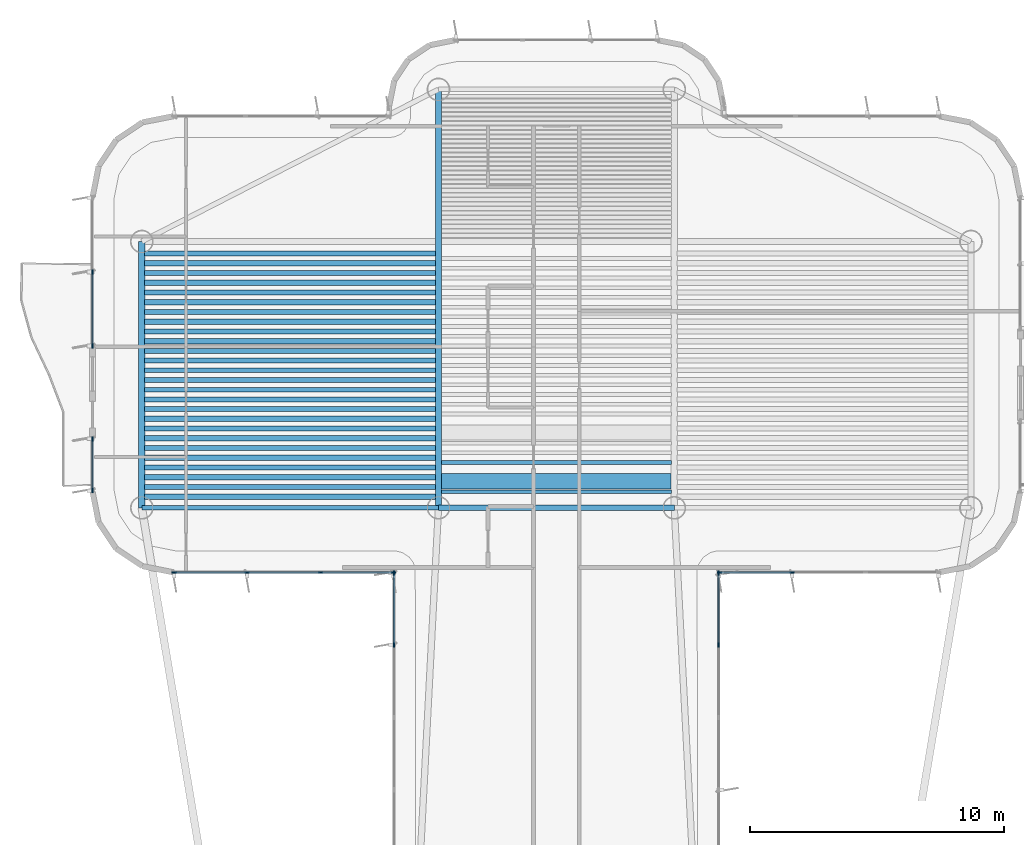
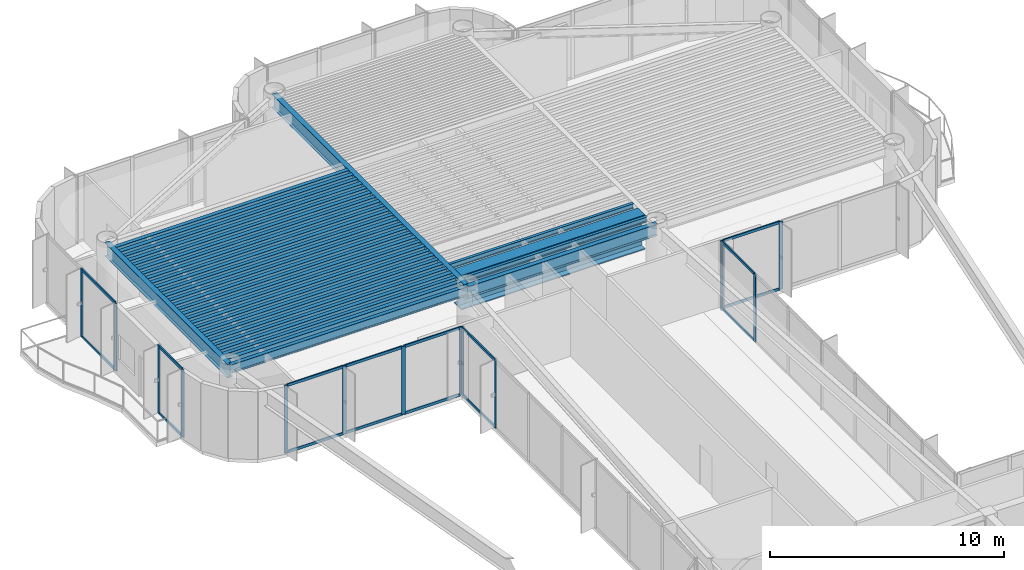
# One storey, part 5 of 15: 33 beams, 30 members, 6 elements without a shape of their own.
"""IFC4 building model written with IfcOpenShell, lengths in metres."""

from ifc_helpers import new_model, si_unit, direction, frame, origin, origin_2d, place, context, subcontext, project, spatial, rectangle, i_section, extrude, source, transform, mapped, material, layer, layer_set, material_profile, profile_set, type_object, element, aggregate, save


model = new_model("IFC4")

# Units and contexts
model_context = context("Model", 3, precision=1e-05, world=origin(), true_north=direction((0.0, 1.0)))
body_context = subcontext(model_context, "Body", "Model", "MODEL_VIEW")
ifc_project = project(units=[si_unit("LENGTHUNIT", "METRE"), si_unit("AREAUNIT", "SQUARE_METRE"), si_unit("VOLUMEUNIT", "CUBIC_METRE"), si_unit("PLANEANGLEUNIT", "RADIAN"), si_unit("MASSUNIT", "GRAM", prefix="KILO")], contexts=[model_context])

# Site, building, storey
site_placement = place(None, origin())
site = spatial("IfcSite", under=ifc_project, at=site_placement, CompositionType="ELEMENT")
building_placement = place(site_placement, origin())
building = spatial("IfcBuilding", under=site, at=building_placement, Name="Brelvock Crest Care Tower", CompositionType="ELEMENT")
storey_placement = place(building_placement, frame((0.0, 0.0, 283.5)))
storey = spatial("IfcBuildingStorey", under=building, at=storey_placement, Name="L72", CompositionType="ELEMENT", Elevation=283.5)

# Beams
ifc_material_1 = material(Name="Steel Grade 350", Category="steel")
ifc_material_profile_1 = material_profile(ifc_material_1, i_section(OverallWidth=0.25, OverallDepth=0.699951171875, WebThickness=0.011962890625, FlangeThickness=0.02001953125, at=origin_2d()), Name="700WB150")
ifc_profile_set_1 = profile_set([ifc_material_profile_1], Name="Steel Grade 350")
beam_type_1 = type_object("IfcBeamType", Name="BM-G4", PredefinedType="BEAM", material=ifc_profile_set_1)
shared_shape_1 = source(origin(), body_context, "Body", "SweptSolid", [
    extrude(i_section(OverallWidth=0.25, OverallDepth=0.699951171875, WebThickness=0.011962890625, FlangeThickness=0.02001953125, at=origin_2d()), origin(), (0.0, 0.0, 1.0), 10.5),
])
beam_1_placement = place(storey_placement, frame((19.64990234375, 43.949951171875, 3.179931640625), z_axis=(0.0, 1.0, 0.0), x_axis=(-1.0, 0.0, 0.0)))
element("IfcBeam", 1, at=beam_1_placement, inside=storey, type_object=beam_type_1, Name="BM-TWR-L72-01", PredefinedType="BEAM", context=body_context, shape_type="MappedRepresentation", body=[
    mapped(shared_shape_1, transform((0.0, 0.0, 0.0), x_axis=(1.0, 0.0, 0.0), y_axis=(0.0, 1.0, 0.0), z_axis=(0.0, 0.0, 1.0), scale=1.0)),
])
ifc_material_profile_2 = material_profile(ifc_material_1, i_section(OverallWidth=0.22900390625, OverallDepth=0.612060546875, WebThickness=0.011962890625, FlangeThickness=0.01953125, FilletRadius=0.013916015625, at=origin_2d()), Name="610UB125")
ifc_profile_set_2 = profile_set([ifc_material_profile_2], Name="Steel Grade 350")
beam_type_2 = type_object("IfcBeamType", Name="BM-G1", PredefinedType="BEAM", material=ifc_profile_set_2)
shared_shape_2 = source(origin(), body_context, "Body", "SweptSolid", [
    extrude(i_section(OverallWidth=0.22900390625, OverallDepth=0.612060546875, WebThickness=0.011962890625, FlangeThickness=0.01953125, FilletRadius=0.013916015625, at=origin_2d()), origin(), (0.0, 0.0, 1.0), 9.2998046875),
])
beam_2_placement = place(storey_placement, frame((31.35009765625, 43.949951171875, 3.22412109375), z_axis=(1.0, 0.0, 0.0), x_axis=(0.0, 1.0, 0.0)))
element("IfcBeam", 2, at=beam_2_placement, inside=storey, type_object=beam_type_2, Name="BM-TWR-L72-05", PredefinedType="BEAM", context=body_context, shape_type="MappedRepresentation", body=[
    mapped(shared_shape_2, transform((0.0, 0.0, 0.0), x_axis=(1.0, 0.0, 0.0), y_axis=(0.0, 1.0, 0.0), z_axis=(0.0, 0.0, 1.0), scale=1.0)),
])
ifc_material_profile_3 = material_profile(ifc_material_1, i_section(OverallWidth=0.14599609375, OverallDepth=0.256103515625, WebThickness=0.00634765625, FlangeThickness=0.010986328125, FilletRadius=0.0087890625, at=origin_2d()), Name="250UB37.3")
ifc_profile_set_3 = profile_set([ifc_material_profile_3], Name="Steel Grade 350")
beam_type_3 = type_object("IfcBeamType", Name="BM-J3", PredefinedType="JOIST", material=ifc_profile_set_3)
shared_shape_3 = source(origin(), body_context, "Body", "SweptSolid", [
    extrude(i_section(OverallWidth=0.14599609375, OverallDepth=0.256103515625, WebThickness=0.00634765625, FlangeThickness=0.010986328125, FilletRadius=0.0087890625, at=origin_2d()), origin(), (0.0, 0.0, 1.0), 9.06982421875),
])
for number, where, z_axis, x_axis, name in (
    (3, (31.465087890625, 44.58251953125, 3.402099609375), (1.0, 0.0, 0.0), (0.0, 1.0, 0.0), "BM-JH-L72-1"),
    (4, (31.465087890625, 45.732421875, 3.402099609375), (1.0, 0.0, 0.0), (0.0, 1.0, 0.0), "BM-JH-L72-4"),
):
    element("IfcBeam", number, at=place(storey_placement, frame(where, z_axis=z_axis, x_axis=x_axis)), inside=storey, type_object=beam_type_3, Name=name, PredefinedType="JOIST", context=body_context, shape_type="MappedRepresentation", body=[
        mapped(shared_shape_3, transform((0.0, 0.0, 0.0), x_axis=(1.0, 0.0, 0.0), y_axis=(0.0, 1.0, 0.0), z_axis=(0.0, 0.0, 1.0), scale=1.0)),
    ])
ifc_material_profile_4 = material_profile(ifc_material_1, i_section(OverallWidth=0.19091796875, OverallDepth=0.4599609375, WebThickness=0.010009765625, FlangeThickness=0.01611328125, FilletRadius=0.011474609375, at=origin_2d()), Name="460UB82.1")
ifc_profile_set_4 = profile_set([ifc_material_profile_4], Name="Steel Grade 350")
beam_type_4 = type_object("IfcBeamType", Name="BM-G3", PredefinedType="BEAM", material=ifc_profile_set_4)
shared_shape_4 = source(origin(), body_context, "Body", "SweptSolid", [
    extrude(i_section(OverallWidth=0.19091796875, OverallDepth=0.4599609375, WebThickness=0.010009765625, FlangeThickness=0.01611328125, FilletRadius=0.011474609375, at=origin_2d()), origin(), (0.0, 0.0, 1.0), 11.47021484375),
])
for number, where, z_axis, x_axis, name in (
    (5, (19.764892578125, 44.7744140625, 3.300048828125), (1.0, 0.0, 0.0), (0.0, 1.0, 0.0), "BM-JW-L72-2"),
    (6, (19.764892578125, 45.540771484375, 3.300048828125), (1.0, 0.0, 0.0), (0.0, 1.0, 0.0), "BM-JW-L72-4"),
    (7, (19.764892578125, 46.307373046875, 3.300048828125), (1.0, 0.0, 0.0), (0.0, 1.0, 0.0), "BM-JW-L72-6"),
    (8, (19.764892578125, 47.07373046875, 3.300048828125), (1.0, 0.0, 0.0), (0.0, 1.0, 0.0), "BM-JW-L72-8"),
    (9, (19.764892578125, 47.84033203125, 3.300048828125), (1.0, 0.0, 0.0), (0.0, 1.0, 0.0), "BM-JW-L72-10"),
    (10, (19.764892578125, 48.606689453125, 3.300048828125), (1.0, 0.0, 0.0), (0.0, 1.0, 0.0), "BM-JW-L72-12"),
    (11, (19.764892578125, 49.373291015625, 3.300048828125), (1.0, 0.0, 0.0), (0.0, 1.0, 0.0), "BM-JW-L72-14"),
    (12, (19.764892578125, 50.139892578125, 3.300048828125), (1.0, 0.0, 0.0), (0.0, 1.0, 0.0), "BM-JW-L72-16"),
    (13, (19.764892578125, 50.90625, 3.300048828125), (1.0, 0.0, 0.0), (0.0, 1.0, 0.0), "BM-JW-L72-18"),
    (14, (19.764892578125, 51.6728515625, 3.300048828125), (1.0, 0.0, 0.0), (0.0, 1.0, 0.0), "BM-JW-L72-20"),
    (15, (19.764892578125, 52.439208984375, 3.300048828125), (1.0, 0.0, 0.0), (0.0, 1.0, 0.0), "BM-JW-L72-22"),
    (16, (19.764892578125, 53.205810546875, 3.300048828125), (1.0, 0.0, 0.0), (0.0, 1.0, 0.0), "BM-JW-L72-24"),
    (17, (19.764892578125, 53.972412109375, 3.300048828125), (1.0, 0.0, 0.0), (0.0, 1.0, 0.0), "BM-JW-L72-26"),
):
    element("IfcBeam", number, at=place(storey_placement, frame(where, z_axis=z_axis, x_axis=x_axis)), inside=storey, type_object=beam_type_4, Name=name, PredefinedType="BEAM", context=body_context, shape_type="MappedRepresentation", body=[
        mapped(shared_shape_4, transform((0.0, 0.0, 0.0), x_axis=(1.0, 0.0, 0.0), y_axis=(0.0, 1.0, 0.0), z_axis=(0.0, 0.0, 1.0), scale=1.0)),
    ])
ifc_material_profile_5 = material_profile(ifc_material_1, i_section(OverallWidth=0.208984375, OverallDepth=0.532958984375, WebThickness=0.01025390625, FlangeThickness=0.015625, FilletRadius=0.013916015625, at=origin_2d()), Name="530UB92.4")
ifc_profile_set_5 = profile_set([ifc_material_profile_5], Name="Steel Grade 350")
beam_type_5 = type_object("IfcBeamType", Name="BM-G2", PredefinedType="BEAM", material=ifc_profile_set_5)
shared_shape_5 = source(origin(), body_context, "Body", "SweptSolid", [
    extrude(i_section(OverallWidth=0.208984375, OverallDepth=0.532958984375, WebThickness=0.01025390625, FlangeThickness=0.015625, FilletRadius=0.013916015625, at=origin_2d()), origin(), (0.0, 0.0, 1.0), 11.47021484375),
])
for number, where, z_axis, x_axis, name in (
    (18, (19.764892578125, 44.39111328125, 3.263427734375), (1.0, 0.0, 0.0), (0.0, 1.0, 0.0), "BM-JW-L72-1"),
    (19, (19.764892578125, 45.157470703125, 3.263427734375), (1.0, 0.0, 0.0), (0.0, 1.0, 0.0), "BM-JW-L72-3"),
    (20, (19.764892578125, 45.924072265625, 3.263427734375), (1.0, 0.0, 0.0), (0.0, 1.0, 0.0), "BM-JW-L72-5"),
    (21, (19.764892578125, 46.6904296875, 3.263427734375), (1.0, 0.0, 0.0), (0.0, 1.0, 0.0), "BM-JW-L72-7"),
    (22, (19.764892578125, 47.45703125, 3.263427734375), (1.0, 0.0, 0.0), (0.0, 1.0, 0.0), "BM-JW-L72-9"),
    (23, (19.764892578125, 48.223388671875, 3.263427734375), (1.0, 0.0, 0.0), (0.0, 1.0, 0.0), "BM-JW-L72-11"),
    (24, (19.764892578125, 48.989990234375, 3.263427734375), (1.0, 0.0, 0.0), (0.0, 1.0, 0.0), "BM-JW-L72-13"),
    (25, (19.764892578125, 49.756591796875, 3.263427734375), (1.0, 0.0, 0.0), (0.0, 1.0, 0.0), "BM-JW-L72-15"),
    (26, (19.764892578125, 50.52294921875, 3.263427734375), (1.0, 0.0, 0.0), (0.0, 1.0, 0.0), "BM-JW-L72-17"),
    (27, (19.764892578125, 51.28955078125, 3.263427734375), (1.0, 0.0, 0.0), (0.0, 1.0, 0.0), "BM-JW-L72-19"),
    (28, (19.764892578125, 52.055908203125, 3.263427734375), (1.0, 0.0, 0.0), (0.0, 1.0, 0.0), "BM-JW-L72-21"),
    (29, (19.764892578125, 52.822509765625, 3.263427734375), (1.0, 0.0, 0.0), (0.0, 1.0, 0.0), "BM-JW-L72-23"),
    (30, (19.764892578125, 53.589111328125, 3.263427734375), (1.0, 0.0, 0.0), (0.0, 1.0, 0.0), "BM-JW-L72-25"),
):
    element("IfcBeam", number, at=place(storey_placement, frame(where, z_axis=z_axis, x_axis=x_axis)), inside=storey, type_object=beam_type_5, Name=name, PredefinedType="BEAM", context=body_context, shape_type="MappedRepresentation", body=[
        mapped(shared_shape_5, transform((0.0, 0.0, 0.0), x_axis=(1.0, 0.0, 0.0), y_axis=(0.0, 1.0, 0.0), z_axis=(0.0, 0.0, 1.0), scale=1.0)),
    ])
ifc_material_profile_6 = material_profile(ifc_material_1, i_section(OverallWidth=0.19091796875, OverallDepth=0.4599609375, WebThickness=0.010009765625, FlangeThickness=0.01611328125, FilletRadius=0.011474609375, at=origin_2d()), Name="460UB82.1")
ifc_profile_set_6 = profile_set([ifc_material_profile_6], Name="Steel Grade 350")
beam_type_6 = type_object("IfcBeamType", Name="BM-SP2", PredefinedType="SPANDREL", material=ifc_profile_set_6)
shared_shape_6 = source(origin(), body_context, "Body", "SweptSolid", [
    extrude(i_section(OverallWidth=0.19091796875, OverallDepth=0.4599609375, WebThickness=0.010009765625, FlangeThickness=0.01611328125, FilletRadius=0.011474609375, at=origin_2d()), origin(), (0.0, 0.0, 1.0), 11.7001953125),
])
beam_3_placement = place(storey_placement, frame((19.64990234375, 43.949951171875, 3.300048828125), z_axis=(1.0, 0.0, 0.0), x_axis=(0.0, 1.0, 0.0)))
element("IfcBeam", 31, at=beam_3_placement, inside=storey, type_object=beam_type_6, Name="BM-TWR-L72-03", PredefinedType="SPANDREL", context=body_context, shape_type="MappedRepresentation", body=[
    mapped(shared_shape_6, transform((0.0, 0.0, 0.0), x_axis=(1.0, 0.0, 0.0), y_axis=(0.0, 1.0, 0.0), z_axis=(0.0, 0.0, 1.0), scale=1.0)),
])
shared_shape_7 = source(origin(), body_context, "Body", "SweptSolid", [
    extrude(i_section(OverallWidth=0.25, OverallDepth=0.699951171875, WebThickness=0.011962890625, FlangeThickness=0.02001953125, at=origin_2d()), origin(), (0.0, 0.0, 1.0), 16.5),
])
beam_4_placement = place(storey_placement, frame((31.35009765625, 43.949951171875, 3.179931640625), z_axis=(0.0, 1.0, 0.0), x_axis=(-1.0, 0.0, 0.0)))
element("IfcBeam", 32, at=beam_4_placement, inside=storey, type_object=beam_type_1, Name="BM-TWR-L72-09", PredefinedType="BEAM", context=body_context, shape_type="MappedRepresentation", body=[
    mapped(shared_shape_7, transform((0.0, 0.0, 0.0), x_axis=(1.0, 0.0, 0.0), y_axis=(0.0, 1.0, 0.0), z_axis=(0.0, 0.0, 1.0), scale=1.0)),
])
ifc_material_profile_7 = material_profile(ifc_material_1, i_section(OverallWidth=0.60009765625, OverallDepth=1.800048828125, WebThickness=0.028076171875, FlangeThickness=0.052001953125, at=origin_2d()), Name="1800TG740")
ifc_profile_set_7 = profile_set([ifc_material_profile_7], Name="Steel Grade 350")
beam_type_7 = type_object("IfcBeamType", Name="BM-TG1", PredefinedType="USERDEFINED", material=ifc_profile_set_7)
shared_shape_8 = source(origin(), body_context, "Body", "SweptSolid", [
    extrude(i_section(OverallWidth=0.60009765625, OverallDepth=1.800048828125, WebThickness=0.028076171875, FlangeThickness=0.052001953125, at=origin_2d()), origin(), (0.0, 0.0, 1.0), 9.06005859375),
])
beam_5_placement = place(storey_placement, frame((31.469970703125, 45.0, 2.6298828125), z_axis=(1.0, 0.0, 0.0), x_axis=(0.0, 1.0, 0.0)))
element("IfcBeam", 33, at=beam_5_placement, inside=storey, type_object=beam_type_7, Name="BM-ST6-TG-S", ObjectType="GIRDER", PredefinedType="USERDEFINED", context=body_context, shape_type="MappedRepresentation", body=[
    mapped(shared_shape_8, transform((0.0, 0.0, 0.0), x_axis=(1.0, 0.0, 0.0), y_axis=(0.0, 1.0, 0.0), z_axis=(0.0, 0.0, 1.0), scale=1.0)),
])

# Curtain wall, members
ifc_material_2 = material(Name="Dark Glass Double Glazed Low-E", Category="glass")
ifc_layer = layer(ifc_material_2, 0.239990234375, Name="CWS-5")
ifc_layer_set = layer_set([ifc_layer], Name="Dark Glass Double Glazed Low-E")
curtain_wall_type = type_object("IfcCurtainWallType", Name="CWS-5", PredefinedType="NOTDEFINED", material=ifc_layer_set)
curtain_wall_1_placement = place(storey_placement, origin())
curtain_wall_1 = element("IfcCurtainWall", 34, at=curtain_wall_1_placement, inside=storey, type_object=curtain_wall_type, Name="L72 Curtain Wall E11", PredefinedType="NOTDEFINED")
ifc_material_3 = material(Name="Aluminium 6063-T6", Category="aluminium")
ifc_material_profile_8 = material_profile(ifc_material_3, rectangle(XDim=0.06005859375, YDim=0.179931640625, at=origin_2d()), Name="ALU60x180")
ifc_profile_set_8 = profile_set([ifc_material_profile_8], Name="Aluminium 6063-T6")
member_type_1 = type_object("IfcMemberType", Name="CWM-2", PredefinedType="MULLION", material=ifc_profile_set_8)
shared_shape_9 = source(origin(), body_context, "Body", "SweptSolid", [
    extrude(rectangle(XDim=0.06005859375, YDim=0.179931640625, at=origin_2d()), origin(), (0.0, 0.0, 1.0), 3.530029296875),
])
member_1_placement = place(storey_placement, frame((29.60009765625, 38.54296875, 0.0), z_axis=(0.0, 0.0, 1.0), x_axis=(-1.0, 0.0, 0.0)))
member_1 = element("IfcMember", 35, at=member_1_placement, type_object=member_type_1, Name="CW-5 mullion 7", PredefinedType="MULLION", context=body_context, shape_type="MappedRepresentation", body=[
    mapped(shared_shape_9, transform((0.0, 0.0, 0.0), x_axis=(1.0, 0.0, 0.0), y_axis=(0.0, 1.0, 0.0), z_axis=(0.0, 0.0, 1.0), scale=1.0)),
])
member_2_placement = place(storey_placement, frame((29.60009765625, 41.3701171875, 0.0), z_axis=(0.0, 0.0, 1.0), x_axis=(-1.0, 0.0, 0.0)))
member_2 = element("IfcMember", 36, at=member_2_placement, type_object=member_type_1, Name="CW-5 mullion 8", PredefinedType="MULLION", context=body_context, shape_type="MappedRepresentation", body=[
    mapped(shared_shape_9, transform((0.0, 0.0, 0.0), x_axis=(1.0, 0.0, 0.0), y_axis=(0.0, 1.0, 0.0), z_axis=(0.0, 0.0, 1.0), scale=1.0)),
])

curtain_wall_2_placement = place(storey_placement, origin())
curtain_wall_2 = element("IfcCurtainWall", 37, at=curtain_wall_2_placement, inside=storey, type_object=curtain_wall_type, Name="L72 Curtain Wall E12", PredefinedType="NOTDEFINED")
member_3_placement = place(storey_placement, frame((29.570068359375, 41.39990234375, 0.0), z_axis=(0.0, 0.0, 1.0), x_axis=(0.0, -1.0, 0.0)))
member_3 = element("IfcMember", 38, at=member_3_placement, type_object=member_type_1, Name="CW-5 mullion 1", PredefinedType="MULLION", context=body_context, shape_type="MappedRepresentation", body=[
    mapped(shared_shape_9, transform((0.0, 0.0, 0.0), x_axis=(1.0, 0.0, 0.0), y_axis=(0.0, 1.0, 0.0), z_axis=(0.0, 0.0, 1.0), scale=1.0)),
])
member_4_placement = place(storey_placement, frame((26.699951171875, 41.39990234375, 0.0), z_axis=(0.0, 0.0, 1.0), x_axis=(0.0, -1.0, 0.0)))
member_4 = element("IfcMember", 39, at=member_4_placement, type_object=member_type_1, Name="CW-5 mullion 2", PredefinedType="MULLION", context=body_context, shape_type="MappedRepresentation", body=[
    mapped(shared_shape_9, transform((0.0, 0.0, 0.0), x_axis=(1.0, 0.0, 0.0), y_axis=(0.0, 1.0, 0.0), z_axis=(0.0, 0.0, 1.0), scale=1.0)),
])
member_5_placement = place(storey_placement, frame((23.800048828125, 41.39990234375, 0.0), z_axis=(0.0, 0.0, 1.0), x_axis=(0.0, -1.0, 0.0)))
member_5 = element("IfcMember", 40, at=member_5_placement, type_object=member_type_1, Name="CW-5 mullion 3", PredefinedType="MULLION", context=body_context, shape_type="MappedRepresentation", body=[
    mapped(shared_shape_9, transform((0.0, 0.0, 0.0), x_axis=(1.0, 0.0, 0.0), y_axis=(0.0, 1.0, 0.0), z_axis=(0.0, 0.0, 1.0), scale=1.0)),
])
member_6_placement = place(storey_placement, frame((20.929931640625, 41.39990234375, 0.0), z_axis=(0.0, 0.0, 1.0), x_axis=(0.0, -1.0, 0.0)))
member_6 = element("IfcMember", 41, at=member_6_placement, type_object=member_type_1, Name="CW-5 mullion 4", PredefinedType="MULLION", context=body_context, shape_type="MappedRepresentation", body=[
    mapped(shared_shape_9, transform((0.0, 0.0, 0.0), x_axis=(1.0, 0.0, 0.0), y_axis=(0.0, 1.0, 0.0), z_axis=(0.0, 0.0, 1.0), scale=1.0)),
])

curtain_wall_3_placement = place(storey_placement, origin())
curtain_wall_3 = element("IfcCurtainWall", 42, at=curtain_wall_3_placement, inside=storey, type_object=curtain_wall_type, Name="L72 Curtain Wall E17A", PredefinedType="NOTDEFINED")
member_7_placement = place(storey_placement, frame((17.699951171875, 44.6298828125, 0.0), z_axis=(0.0, 0.0, 1.0), x_axis=(-1.0, 0.0, 0.0)))
member_7 = element("IfcMember", 43, at=member_7_placement, type_object=member_type_1, Name="CW-5 mullion 1", PredefinedType="MULLION", context=body_context, shape_type="MappedRepresentation", body=[
    mapped(shared_shape_9, transform((0.0, 0.0, 0.0), x_axis=(1.0, 0.0, 0.0), y_axis=(0.0, 1.0, 0.0), z_axis=(0.0, 0.0, 1.0), scale=1.0)),
])
member_8_placement = place(storey_placement, frame((17.699951171875, 46.669921875, 0.0), z_axis=(0.0, 0.0, 1.0), x_axis=(-1.0, 0.0, 0.0)))
member_8 = element("IfcMember", 44, at=member_8_placement, type_object=member_type_1, Name="CW-5 mullion 2", PredefinedType="MULLION", context=body_context, shape_type="MappedRepresentation", body=[
    mapped(shared_shape_9, transform((0.0, 0.0, 0.0), x_axis=(1.0, 0.0, 0.0), y_axis=(0.0, 1.0, 0.0), z_axis=(0.0, 0.0, 1.0), scale=1.0)),
])

curtain_wall_4_placement = place(storey_placement, origin())
curtain_wall_4 = element("IfcCurtainWall", 45, at=curtain_wall_4_placement, inside=storey, type_object=curtain_wall_type, Name="L72 Curtain Wall E17B", PredefinedType="NOTDEFINED")
member_9_placement = place(storey_placement, frame((17.699951171875, 50.330078125, 0.0), z_axis=(0.0, 0.0, 1.0), x_axis=(-1.0, 0.0, 0.0)))
member_9 = element("IfcMember", 46, at=member_9_placement, type_object=member_type_1, Name="CW-5 mullion 1", PredefinedType="MULLION", context=body_context, shape_type="MappedRepresentation", body=[
    mapped(shared_shape_9, transform((0.0, 0.0, 0.0), x_axis=(1.0, 0.0, 0.0), y_axis=(0.0, 1.0, 0.0), z_axis=(0.0, 0.0, 1.0), scale=1.0)),
])
member_10_placement = place(storey_placement, frame((17.699951171875, 53.25, 0.0), z_axis=(0.0, 0.0, 1.0), x_axis=(-1.0, 0.0, 0.0)))
member_10 = element("IfcMember", 47, at=member_10_placement, type_object=member_type_1, Name="CW-5 mullion 2", PredefinedType="MULLION", context=body_context, shape_type="MappedRepresentation", body=[
    mapped(shared_shape_9, transform((0.0, 0.0, 0.0), x_axis=(1.0, 0.0, 0.0), y_axis=(0.0, 1.0, 0.0), z_axis=(0.0, 0.0, 1.0), scale=1.0)),
])

curtain_wall_5_placement = place(storey_placement, origin())
curtain_wall_5 = element("IfcCurtainWall", 48, at=curtain_wall_5_placement, inside=storey, type_object=curtain_wall_type, Name="L72 Curtain Wall E44", PredefinedType="NOTDEFINED")
member_11_placement = place(storey_placement, frame((45.300048828125, 41.39990234375, 0.0), z_axis=(0.0, 0.0, 1.0), x_axis=(0.0, -1.0, 0.0)))
member_11 = element("IfcMember", 49, at=member_11_placement, type_object=member_type_1, Name="CW-5 mullion 3", PredefinedType="MULLION", context=body_context, shape_type="MappedRepresentation", body=[
    mapped(shared_shape_9, transform((0.0, 0.0, 0.0), x_axis=(1.0, 0.0, 0.0), y_axis=(0.0, 1.0, 0.0), z_axis=(0.0, 0.0, 1.0), scale=1.0)),
])
member_12_placement = place(storey_placement, frame((42.429931640625, 41.39990234375, 0.0), z_axis=(0.0, 0.0, 1.0), x_axis=(0.0, -1.0, 0.0)))
member_12 = element("IfcMember", 50, at=member_12_placement, type_object=member_type_1, Name="CW-5 mullion 4", PredefinedType="MULLION", context=body_context, shape_type="MappedRepresentation", body=[
    mapped(shared_shape_9, transform((0.0, 0.0, 0.0), x_axis=(1.0, 0.0, 0.0), y_axis=(0.0, 1.0, 0.0), z_axis=(0.0, 0.0, 1.0), scale=1.0)),
])

curtain_wall_6_placement = place(storey_placement, origin())
curtain_wall_6 = element("IfcCurtainWall", 51, at=curtain_wall_6_placement, inside=storey, type_object=curtain_wall_type, Name="L72 Curtain Wall E45", PredefinedType="NOTDEFINED")
member_13_placement = place(storey_placement, frame((42.39990234375, 41.3701171875, 0.0), z_axis=(0.0, 0.0, 1.0), x_axis=(1.0, 0.0, 0.0)))
member_13 = element("IfcMember", 52, at=member_13_placement, type_object=member_type_1, Name="CW-5 mullion 1", PredefinedType="MULLION", context=body_context, shape_type="MappedRepresentation", body=[
    mapped(shared_shape_9, transform((0.0, 0.0, 0.0), x_axis=(1.0, 0.0, 0.0), y_axis=(0.0, 1.0, 0.0), z_axis=(0.0, 0.0, 1.0), scale=1.0)),
])
member_14_placement = place(storey_placement, frame((42.39990234375, 38.54296875, 0.0), z_axis=(0.0, 0.0, 1.0), x_axis=(1.0, 0.0, 0.0)))
member_14 = element("IfcMember", 53, at=member_14_placement, type_object=member_type_1, Name="CW-5 mullion 2", PredefinedType="MULLION", context=body_context, shape_type="MappedRepresentation", body=[
    mapped(shared_shape_9, transform((0.0, 0.0, 0.0), x_axis=(1.0, 0.0, 0.0), y_axis=(0.0, 1.0, 0.0), z_axis=(0.0, 0.0, 1.0), scale=1.0)),
])

# Member
ifc_material_profile_9 = material_profile(ifc_material_3, rectangle(XDim=0.06005859375, YDim=0.139892578125, at=origin_2d()), Name="ALU60x140")
ifc_profile_set_9 = profile_set([ifc_material_profile_9], Name="Aluminium 6063-T6")
member_type_2 = type_object("IfcMemberType", Name="CWT-2", PredefinedType="USERDEFINED", material=ifc_profile_set_9)
shared_shape_10 = source(origin(), body_context, "Body", "SweptSolid", [
    extrude(rectangle(XDim=0.06005859375, YDim=0.139892578125, at=origin_2d()), origin(), (0.0, 0.0, 1.0), 1.97998046875),
])
member_15_placement = place(storey_placement, frame((17.699951171875, 44.659912109375, 0.030029296875), z_axis=(0.0, 1.0, 0.0), x_axis=(-1.0, 0.0, 0.0)))
member_15 = element("IfcMember", 54, at=member_15_placement, type_object=member_type_2, Name="CW-5 transom 1.1", ObjectType="TRANSOM", PredefinedType="USERDEFINED", context=body_context, shape_type="MappedRepresentation", body=[
    mapped(shared_shape_10, transform((0.0, 0.0, 0.0), x_axis=(1.0, 0.0, 0.0), y_axis=(0.0, 1.0, 0.0), z_axis=(0.0, 0.0, 1.0), scale=1.0)),
])

member_16_placement = place(storey_placement, frame((17.699951171875, 44.659912109375, 3.5), z_axis=(0.0, 1.0, 0.0), x_axis=(-1.0, 0.0, 0.0)))
member_16 = element("IfcMember", 55, at=member_16_placement, type_object=member_type_2, Name="CW-5 transom 1.2", ObjectType="TRANSOM", PredefinedType="USERDEFINED", context=body_context, shape_type="MappedRepresentation", body=[
    mapped(shared_shape_10, transform((0.0, 0.0, 0.0), x_axis=(1.0, 0.0, 0.0), y_axis=(0.0, 1.0, 0.0), z_axis=(0.0, 0.0, 1.0), scale=1.0)),
])

aggregate(curtain_wall_3, [member_7, member_8, member_15, member_16])

shared_shape_11 = source(origin(), body_context, "Body", "SweptSolid", [
    extrude(rectangle(XDim=0.06005859375, YDim=0.139892578125, at=origin_2d()), origin(), (0.0, 0.0, 1.0), 2.767333984375),
])
member_17_placement = place(storey_placement, frame((29.60009765625, 38.57275390625, 0.030029296875), z_axis=(0.0, 1.0, 0.0), x_axis=(-1.0, 0.0, 0.0)))
member_17 = element("IfcMember", 56, at=member_17_placement, type_object=member_type_2, Name="CW-5 transom 7.1", ObjectType="TRANSOM", PredefinedType="USERDEFINED", context=body_context, shape_type="MappedRepresentation", body=[
    mapped(shared_shape_11, transform((0.0, 0.0, 0.0), x_axis=(1.0, 0.0, 0.0), y_axis=(0.0, 1.0, 0.0), z_axis=(0.0, 0.0, 1.0), scale=1.0)),
])

member_18_placement = place(storey_placement, frame((29.60009765625, 38.57275390625, 3.5), z_axis=(0.0, 1.0, 0.0), x_axis=(-1.0, 0.0, 0.0)))
member_18 = element("IfcMember", 57, at=member_18_placement, type_object=member_type_2, Name="CW-5 transom 7.2", ObjectType="TRANSOM", PredefinedType="USERDEFINED", context=body_context, shape_type="MappedRepresentation", body=[
    mapped(shared_shape_11, transform((0.0, 0.0, 0.0), x_axis=(1.0, 0.0, 0.0), y_axis=(0.0, 1.0, 0.0), z_axis=(0.0, 0.0, 1.0), scale=1.0)),
])

aggregate(curtain_wall_1, [member_1, member_2, member_17, member_18])

member_19_placement = place(storey_placement, frame((42.39990234375, 41.340087890625, 0.030029296875), z_axis=(0.0, -1.0, 0.0), x_axis=(1.0, 0.0, 0.0)))
member_19 = element("IfcMember", 58, at=member_19_placement, type_object=member_type_2, Name="CW-5 transom 1.1", ObjectType="TRANSOM", PredefinedType="USERDEFINED", context=body_context, shape_type="MappedRepresentation", body=[
    mapped(shared_shape_11, transform((0.0, 0.0, 0.0), x_axis=(1.0, 0.0, 0.0), y_axis=(0.0, 1.0, 0.0), z_axis=(0.0, 0.0, 1.0), scale=1.0)),
])

member_20_placement = place(storey_placement, frame((42.39990234375, 41.340087890625, 3.5), z_axis=(0.0, -1.0, 0.0), x_axis=(1.0, 0.0, 0.0)))
member_20 = element("IfcMember", 59, at=member_20_placement, type_object=member_type_2, Name="CW-5 transom 1.2", ObjectType="TRANSOM", PredefinedType="USERDEFINED", context=body_context, shape_type="MappedRepresentation", body=[
    mapped(shared_shape_11, transform((0.0, 0.0, 0.0), x_axis=(1.0, 0.0, 0.0), y_axis=(0.0, 1.0, 0.0), z_axis=(0.0, 0.0, 1.0), scale=1.0)),
])

aggregate(curtain_wall_6, [member_13, member_14, member_19, member_20])

shared_shape_12 = source(origin(), body_context, "Body", "SweptSolid", [
    extrude(rectangle(XDim=0.06005859375, YDim=0.139892578125, at=origin_2d()), origin(), (0.0, 0.0, 1.0), 2.81005859375),
])
member_21_placement = place(storey_placement, frame((29.5400390625, 41.39990234375, 0.030029296875), z_axis=(-1.0, 0.0, 0.0), x_axis=(0.0, -1.0, 0.0)))
member_21 = element("IfcMember", 60, at=member_21_placement, type_object=member_type_2, Name="CW-5 transom 1.1", ObjectType="TRANSOM", PredefinedType="USERDEFINED", context=body_context, shape_type="MappedRepresentation", body=[
    mapped(shared_shape_12, transform((0.0, 0.0, 0.0), x_axis=(1.0, 0.0, 0.0), y_axis=(0.0, 1.0, 0.0), z_axis=(0.0, 0.0, 1.0), scale=1.0)),
])

member_22_placement = place(storey_placement, frame((29.5400390625, 41.39990234375, 3.5), z_axis=(-1.0, 0.0, 0.0), x_axis=(0.0, -1.0, 0.0)))
member_22 = element("IfcMember", 61, at=member_22_placement, type_object=member_type_2, Name="CW-5 transom 1.2", ObjectType="TRANSOM", PredefinedType="USERDEFINED", context=body_context, shape_type="MappedRepresentation", body=[
    mapped(shared_shape_12, transform((0.0, 0.0, 0.0), x_axis=(1.0, 0.0, 0.0), y_axis=(0.0, 1.0, 0.0), z_axis=(0.0, 0.0, 1.0), scale=1.0)),
])

member_23_placement = place(storey_placement, frame((23.77001953125, 41.39990234375, 0.030029296875), z_axis=(-1.0, 0.0, 0.0), x_axis=(0.0, -1.0, 0.0)))
member_23 = element("IfcMember", 62, at=member_23_placement, type_object=member_type_2, Name="CW-5 transom 3.1", ObjectType="TRANSOM", PredefinedType="USERDEFINED", context=body_context, shape_type="MappedRepresentation", body=[
    mapped(shared_shape_12, transform((0.0, 0.0, 0.0), x_axis=(1.0, 0.0, 0.0), y_axis=(0.0, 1.0, 0.0), z_axis=(0.0, 0.0, 1.0), scale=1.0)),
])

member_24_placement = place(storey_placement, frame((23.77001953125, 41.39990234375, 3.5), z_axis=(-1.0, 0.0, 0.0), x_axis=(0.0, -1.0, 0.0)))
member_24 = element("IfcMember", 63, at=member_24_placement, type_object=member_type_2, Name="CW-5 transom 3.2", ObjectType="TRANSOM", PredefinedType="USERDEFINED", context=body_context, shape_type="MappedRepresentation", body=[
    mapped(shared_shape_12, transform((0.0, 0.0, 0.0), x_axis=(1.0, 0.0, 0.0), y_axis=(0.0, 1.0, 0.0), z_axis=(0.0, 0.0, 1.0), scale=1.0)),
])

member_25_placement = place(storey_placement, frame((45.27001953125, 41.39990234375, 0.030029296875), z_axis=(-1.0, 0.0, 0.0), x_axis=(0.0, -1.0, 0.0)))
member_25 = element("IfcMember", 64, at=member_25_placement, type_object=member_type_2, Name="CW-5 transom 3.1", ObjectType="TRANSOM", PredefinedType="USERDEFINED", context=body_context, shape_type="MappedRepresentation", body=[
    mapped(shared_shape_12, transform((0.0, 0.0, 0.0), x_axis=(1.0, 0.0, 0.0), y_axis=(0.0, 1.0, 0.0), z_axis=(0.0, 0.0, 1.0), scale=1.0)),
])

member_26_placement = place(storey_placement, frame((45.27001953125, 41.39990234375, 3.5), z_axis=(-1.0, 0.0, 0.0), x_axis=(0.0, -1.0, 0.0)))
member_26 = element("IfcMember", 65, at=member_26_placement, type_object=member_type_2, Name="CW-5 transom 3.2", ObjectType="TRANSOM", PredefinedType="USERDEFINED", context=body_context, shape_type="MappedRepresentation", body=[
    mapped(shared_shape_12, transform((0.0, 0.0, 0.0), x_axis=(1.0, 0.0, 0.0), y_axis=(0.0, 1.0, 0.0), z_axis=(0.0, 0.0, 1.0), scale=1.0)),
])

aggregate(curtain_wall_5, [member_11, member_12, member_25, member_26])

shared_shape_13 = source(origin(), body_context, "Body", "SweptSolid", [
    extrude(rectangle(XDim=0.06005859375, YDim=0.139892578125, at=origin_2d()), origin(), (0.0, 0.0, 1.0), 2.83984375),
])
member_27_placement = place(storey_placement, frame((26.669921875, 41.39990234375, 0.030029296875), z_axis=(-1.0, 0.0, 0.0), x_axis=(0.0, -1.0, 0.0)))
member_27 = element("IfcMember", 66, at=member_27_placement, type_object=member_type_2, Name="CW-5 transom 2.1", ObjectType="TRANSOM", PredefinedType="USERDEFINED", context=body_context, shape_type="MappedRepresentation", body=[
    mapped(shared_shape_13, transform((0.0, 0.0, 0.0), x_axis=(1.0, 0.0, 0.0), y_axis=(0.0, 1.0, 0.0), z_axis=(0.0, 0.0, 1.0), scale=1.0)),
])

member_28_placement = place(storey_placement, frame((26.669921875, 41.39990234375, 3.5), z_axis=(-1.0, 0.0, 0.0), x_axis=(0.0, -1.0, 0.0)))
member_28 = element("IfcMember", 67, at=member_28_placement, type_object=member_type_2, Name="CW-5 transom 2.2", ObjectType="TRANSOM", PredefinedType="USERDEFINED", context=body_context, shape_type="MappedRepresentation", body=[
    mapped(shared_shape_13, transform((0.0, 0.0, 0.0), x_axis=(1.0, 0.0, 0.0), y_axis=(0.0, 1.0, 0.0), z_axis=(0.0, 0.0, 1.0), scale=1.0)),
])

aggregate(curtain_wall_2, [member_3, member_4, member_5, member_6, member_21, member_22, member_27, member_28, member_23, member_24])

shared_shape_14 = source(origin(), body_context, "Body", "SweptSolid", [
    extrude(rectangle(XDim=0.06005859375, YDim=0.139892578125, at=origin_2d()), origin(), (0.0, 0.0, 1.0), 2.85986328125),
])
member_29_placement = place(storey_placement, frame((17.699951171875, 50.360107421875, 0.030029296875), z_axis=(0.0, 1.0, 0.0), x_axis=(-1.0, 0.0, 0.0)))
member_29 = element("IfcMember", 68, at=member_29_placement, type_object=member_type_2, Name="CW-5 transom 1.1", ObjectType="TRANSOM", PredefinedType="USERDEFINED", context=body_context, shape_type="MappedRepresentation", body=[
    mapped(shared_shape_14, transform((0.0, 0.0, 0.0), x_axis=(1.0, 0.0, 0.0), y_axis=(0.0, 1.0, 0.0), z_axis=(0.0, 0.0, 1.0), scale=1.0)),
])

member_30_placement = place(storey_placement, frame((17.699951171875, 50.360107421875, 3.5), z_axis=(0.0, 1.0, 0.0), x_axis=(-1.0, 0.0, 0.0)))
member_30 = element("IfcMember", 69, at=member_30_placement, type_object=member_type_2, Name="CW-5 transom 1.2", ObjectType="TRANSOM", PredefinedType="USERDEFINED", context=body_context, shape_type="MappedRepresentation", body=[
    mapped(shared_shape_14, transform((0.0, 0.0, 0.0), x_axis=(1.0, 0.0, 0.0), y_axis=(0.0, 1.0, 0.0), z_axis=(0.0, 0.0, 1.0), scale=1.0)),
])

aggregate(curtain_wall_4, [member_9, member_10, member_29, member_30])

save(model, "model.ifc")
